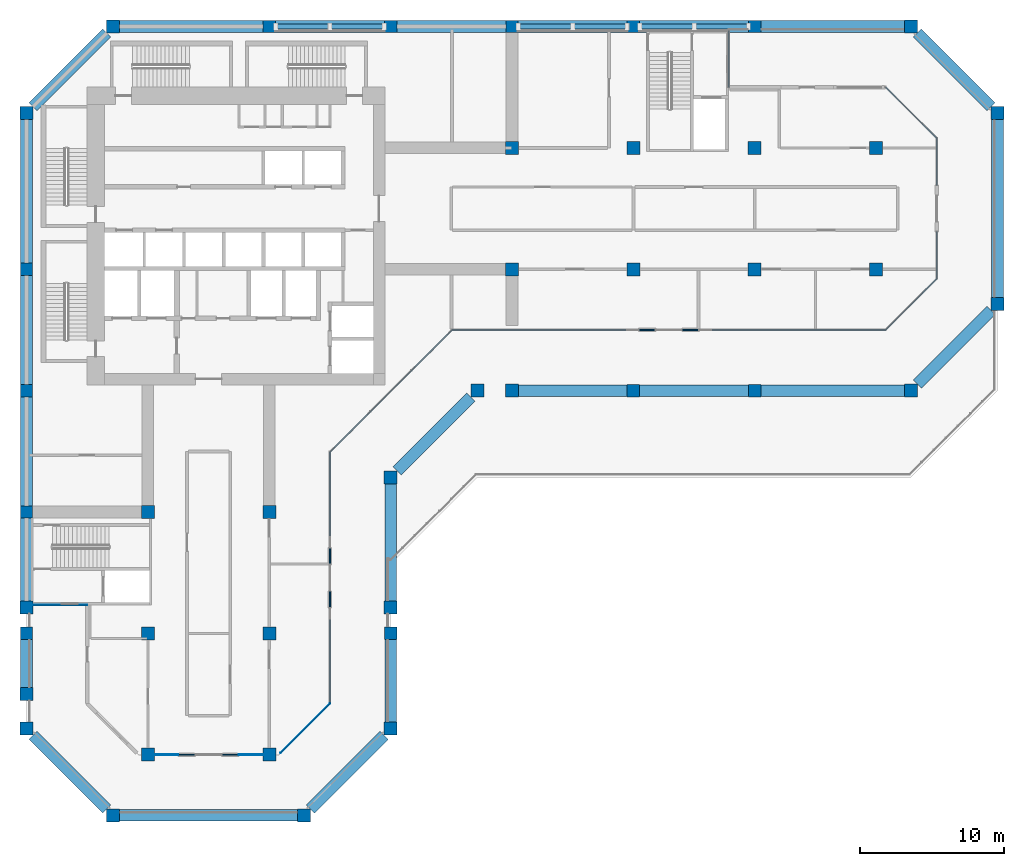
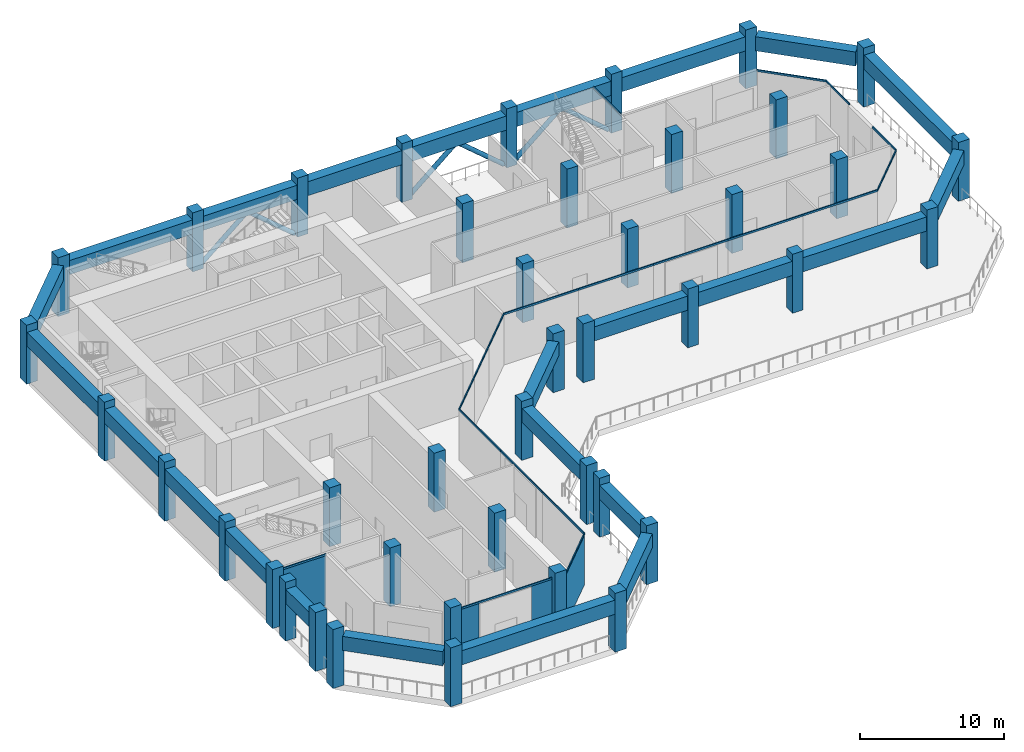
# One storey, part 1 of 14: 42 columns, 25 members, 24 beams, 4 plates, 10 elements without a shape of their own.
"""IFC4 building model written with IfcOpenShell, lengths in metres."""

from ifc_helpers import new_model, si_unit, direction, frame, origin, origin_2d, place, context, subcontext, project, spatial, rectangle, hollow_circle, extrude, material, layer, layer_set, material_profile, profile_set, type_object, element, aggregate, save


model = new_model("IFC4")

# Units and contexts
model_context = context("Model", 3, precision=1e-05, world=origin(), true_north=direction((0.0, 1.0)))
body_context = subcontext(model_context, "Body", "Model", "MODEL_VIEW")
ifc_project = project(units=[si_unit("LENGTHUNIT", "METRE"), si_unit("AREAUNIT", "SQUARE_METRE"), si_unit("VOLUMEUNIT", "CUBIC_METRE"), si_unit("PLANEANGLEUNIT", "RADIAN"), si_unit("MASSUNIT", "GRAM", prefix="KILO")], contexts=[model_context])

# Site, building, storey
site_placement = place(None, origin())
site = spatial("IfcSite", under=ifc_project, at=site_placement, CompositionType="ELEMENT")
building_placement = place(site_placement, origin())
building = spatial("IfcBuilding", under=site, at=building_placement, Name="Kawkab Arch Medical Tower", CompositionType="ELEMENT")
storey_placement = place(building_placement, frame((0.0, 0.0, 213.0)))
storey = spatial("IfcBuildingStorey", under=building, at=storey_placement, Name="L49", CompositionType="ELEMENT", Elevation=213.0)

# Columns
ifc_material_1 = material(Name="Concrete C45/55", Category="concrete")
ifc_material_profile_1 = material_profile(ifc_material_1, rectangle(XDim=0.85009765625, YDim=0.85009765625, at=origin_2d()), Name="RC 850x850")
ifc_profile_set_1 = profile_set([ifc_material_profile_1], Name="Concrete C45/55")
column_type_1 = type_object("IfcColumnType", Name="RC 850x850 column C45/55", PredefinedType="COLUMN", material=ifc_profile_set_1)
for number, where, z_axis, x_axis, name in (
    (1, (16.800048828125, 0.0, 0.0), (0.0, 0.0, 1.0), (1.0, 0.0, 0.0), "Column RC 850x850"),
    (2, (25.199951171875, 0.0, 0.0), (0.0, 0.0, 1.0), (1.0, 0.0, 0.0), "Column RC 850x850"),
    (3, (33.60009765625, 0.0, 0.0), (0.0, 0.0, 1.0), (1.0, 0.0, 0.0), "Column RC 850x850"),
    (4, (42.0, 0.0, 0.0), (0.0, 0.0, 1.0), (1.0, 0.0, 0.0), "Column RC 850x850"),
    (5, (50.39990234375, 0.0, 0.0), (0.0, 0.0, 1.0), (1.0, 0.0, 0.0), "Column RC 850x850"),
    (6, (0.0, -16.800048828125, 0.0), (0.0, 0.0, 1.0), (1.0, 0.0, 0.0), "Column RC 850x850"),
    (7, (0.0, -25.199951171875, 0.0), (0.0, 0.0, 1.0), (1.0, 0.0, 0.0), "Column RC 850x850"),
    (8, (42.0, -25.199951171875, 0.0), (0.0, 0.0, 1.0), (1.0, 0.0, 0.0), "Column RC 850x850"),
    (9, (50.39990234375, -25.199951171875, 0.0), (0.0, 0.0, 1.0), (1.0, 0.0, 0.0), "Column RC 850x850"),
    (10, (0.0, -33.60009765625, 0.0), (0.0, 0.0, 1.0), (1.0, 0.0, 0.0), "Column RC 850x850"),
    (11, (0.0, -42.0, 0.0), (0.0, 0.0, 1.0), (1.0, 0.0, 0.0), "Column RC 850x850"),
    (12, (25.199951171875, -42.0, 0.0), (0.0, 0.0, 1.0), (1.0, 0.0, 0.0), "Column RC 850x850"),
):
    element("IfcColumn", number, at=place(storey_placement, frame(where, z_axis=z_axis, x_axis=x_axis)), inside=storey, type_object=column_type_1, Name=name, PredefinedType="COLUMN", context=body_context, shape_type="SweptSolid", body=[
        extrude(rectangle(XDim=0.85009765625, YDim=0.85009765625, at=origin_2d()), origin(), (0.0, 0.0, 1.0), 5.0),
    ])
ifc_material_2 = material(Name="Concrete C45/55", Category="concrete")
ifc_material_profile_2 = material_profile(ifc_material_2, rectangle(XDim=0.89990234375, YDim=0.89990234375, at=origin_2d()), Name="RC 900x900")
ifc_profile_set_2 = profile_set([ifc_material_profile_2], Name="Concrete C45/55")
column_type_2 = type_object("IfcColumnType", Name="RC 900x900 column C45/55", PredefinedType="COLUMN", material=ifc_profile_set_2)
for number, where, z_axis, x_axis, name in (
    (13, (6.0, 0.0, 0.0), (0.0, 0.0, 1.0), (1.0, 0.0, 0.0), "Column RC 900x900"),
    (14, (61.199951171875, 0.0, 0.0), (0.0, 0.0, 1.0), (1.0, 0.0, 0.0), "Column RC 900x900"),
    (15, (0.0, -6.0, 0.0), (0.0, 0.0, 1.0), (1.0, 0.0, 0.0), "Column RC 900x900"),
    (16, (67.199951171875, -6.0, 0.0), (0.0, 0.0, 1.0), (1.0, 0.0, 0.0), "Column RC 900x900"),
):
    element("IfcColumn", number, at=place(storey_placement, frame(where, z_axis=z_axis, x_axis=x_axis)), inside=storey, type_object=column_type_2, Name=name, PredefinedType="COLUMN", context=body_context, shape_type="SweptSolid", body=[
        extrude(rectangle(XDim=0.89990234375, YDim=0.89990234375, at=origin_2d()), origin(), (0.0, 0.0, 1.0), 5.0),
    ])
column_placement = place(storey_placement, frame((33.60009765625, -8.39990234375, 0.0), z_axis=(0.0, 0.0, 1.0), x_axis=(1.0, 0.0, 0.0)))
element("IfcColumn", 17, at=column_placement, inside=storey, type_object=column_type_2, Name="Column RC 900x900", PredefinedType="COLUMN", context=body_context, shape_type="SweptSolid", body=[
    extrude(rectangle(XDim=0.89990234375, YDim=0.89990234375, at=origin_2d()), origin(), (0.0, 0.0, 1.0), 5.0),
])
for number, where, z_axis, x_axis, name in (
    (18, (42.0, -8.39990234375, 0.0), (0.0, 0.0, 1.0), (1.0, 0.0, 0.0), "Column RC 900x900"),
    (19, (50.39990234375, -8.39990234375, 0.0), (0.0, 0.0, 1.0), (1.0, 0.0, 0.0), "Column RC 900x900"),
    (20, (58.800048828125, -8.39990234375, 0.0), (0.0, 0.0, 1.0), (1.0, 0.0, 0.0), "Column RC 900x900"),
    (21, (33.60009765625, -16.800048828125, 0.0), (0.0, 0.0, 1.0), (1.0, 0.0, 0.0), "Column RC 900x900"),
    (22, (42.0, -16.800048828125, 0.0), (0.0, 0.0, 1.0), (1.0, 0.0, 0.0), "Column RC 900x900"),
    (23, (50.39990234375, -16.800048828125, 0.0), (0.0, 0.0, 1.0), (1.0, 0.0, 0.0), "Column RC 900x900"),
    (24, (58.800048828125, -16.800048828125, 0.0), (0.0, 0.0, 1.0), (1.0, 0.0, 0.0), "Column RC 900x900"),
    (25, (67.199951171875, -19.199951171875, 0.0), (0.0, 0.0, 1.0), (1.0, 0.0, 0.0), "Column RC 900x900"),
    (26, (31.199951171875, -25.199951171875, 0.0), (0.0, 0.0, 1.0), (1.0, 0.0, 0.0), "Column RC 900x900"),
    (27, (61.199951171875, -25.199951171875, 0.0), (0.0, 0.0, 1.0), (1.0, 0.0, 0.0), "Column RC 900x900"),
    (28, (25.199951171875, -31.199951171875, 0.0), (0.0, 0.0, 1.0), (1.0, 0.0, 0.0), "Column RC 900x900"),
    (29, (8.39990234375, -33.60009765625, 0.0), (0.0, 0.0, 1.0), (1.0, 0.0, 0.0), "Column RC 900x900"),
    (30, (16.800048828125, -33.60009765625, 0.0), (0.0, 0.0, 1.0), (1.0, 0.0, 0.0), "Column RC 900x900"),
    (31, (8.39990234375, -42.0, 0.0), (0.0, 0.0, 1.0), (1.0, 0.0, 0.0), "Column RC 900x900"),
    (32, (16.800048828125, -42.0, 0.0), (0.0, 0.0, 1.0), (1.0, 0.0, 0.0), "Column RC 900x900"),
    (33, (0.0, -48.60009765625, 0.0), (0.0, 0.0, 1.0), (1.0, 0.0, 0.0), "Column RC 900x900"),
    (34, (25.199951171875, -48.60009765625, 0.0), (0.0, 0.0, 1.0), (1.0, 0.0, 0.0), "Column RC 900x900"),
    (35, (8.39990234375, -50.39990234375, 0.0), (0.0, 0.0, 1.0), (1.0, 0.0, 0.0), "Column RC 900x900"),
    (36, (16.800048828125, -50.39990234375, 0.0), (0.0, 0.0, 1.0), (1.0, 0.0, 0.0), "Column RC 900x900"),
    (37, (6.0, -54.60009765625, 0.0), (0.0, 0.0, 1.0), (1.0, 0.0, 0.0), "Column RC 900x900"),
    (38, (19.199951171875, -54.60009765625, 0.0), (0.0, 0.0, 1.0), (1.0, 0.0, 0.0), "Column RC 900x900"),
    (39, (0.0, -40.199951171875, 0.0), (0.0, 0.0, 1.0), (1.0, 0.0, 0.0), "Column RC 900x900"),
    (40, (25.199951171875, -40.199951171875, 0.0), (0.0, 0.0, 1.0), (1.0, 0.0, 0.0), "Column RC 900x900"),
    (41, (0.0, -46.199951171875, 0.0), (0.0, 0.0, 1.0), (1.0, 0.0, 0.0), "Column RC 900x900"),
    (42, (33.60009765625, -25.199951171875, 0.0), (0.0, 0.0, 1.0), (1.0, 0.0, 0.0), "Column RC 900x900"),
):
    element("IfcColumn", number, at=place(storey_placement, frame(where, z_axis=z_axis, x_axis=x_axis)), inside=storey, type_object=column_type_2, Name=name, PredefinedType="COLUMN", context=body_context, shape_type="SweptSolid", body=[
        extrude(rectangle(XDim=0.89990234375, YDim=0.89990234375, at=origin_2d()), origin(), (0.0, 0.0, 1.0), 5.0),
    ])

# Members
ifc_material_3 = material(Name="Steel S355", Category="steel")
ifc_material_profile_3 = material_profile(ifc_material_3, hollow_circle(Radius=0.177734375, WallThickness=0.01611328125, at=origin_2d()), Name="CHS 355.6x16")
ifc_profile_set_3 = profile_set([ifc_material_profile_3], Name="Steel S355")
member_type_1 = type_object("IfcMemberType", Name="CHS 355.6x16 belt truss brace S355", PredefinedType="BRACE", material=ifc_profile_set_3)
for number, where, z_axis, x_axis, name in (
    (43, (17.240234375, 0.0, 0.083740234375), (0.762787298327, 0.0, 0.646649470356), (0.0, 1.0, 0.0), "Belt truss brace L49-N01A"),
    (44, (24.759765625, 0.0, 0.083740234375), (-0.762787298327, 0.0, 0.646649470356), (0.0, -1.0, 0.0), "Belt truss brace L49-N01B"),
    (45, (34.040283203125, 0.0, 0.083740234375), (0.762787298327, 0.0, 0.646649470356), (0.0, 1.0, 0.0), "Belt truss brace L49-N02A"),
    (46, (41.559814453125, 0.0, 0.083740234375), (-0.762787298327, 0.0, 0.646649470356), (0.0, -1.0, 0.0), "Belt truss brace L49-N02B"),
    (47, (42.440185546875, 0.0, 0.083740234375), (0.762787298327, 0.0, 0.646649470356), (0.0, 1.0, 0.0), "Belt truss brace L49-N03A"),
    (48, (49.959716796875, 0.0, 0.083740234375), (-0.762787298327, 0.0, 0.646649470356), (0.0, -1.0, 0.0), "Belt truss brace L49-N03B"),
):
    element("IfcMember", number, at=place(storey_placement, frame(where, z_axis=z_axis, x_axis=x_axis)), inside=storey, type_object=member_type_1, Name=name, PredefinedType="BRACE", context=body_context, shape_type="SweptSolid", body=[
        extrude(hollow_circle(Radius=0.177734375, WallThickness=0.01611328125, at=origin_2d()), origin(), (0.0, 0.0, 1.0), 4.9189453125),
    ])

# Curtain wall, member
ifc_material_4 = material(Name="Bronze anodised aluminium curtain wall frame", Category="aluminium")
ifc_layer_1 = layer(ifc_material_4, 0.159912109375)
ifc_layer_set_1 = layer_set([ifc_layer_1], Name="Bronze anodised aluminium curtain wall frame")
curtain_wall_type = type_object("IfcCurtainWallType", Name="CW4 refuge floor fire-protected glazing", PredefinedType="NOTDEFINED", material=ifc_layer_set_1)
placement = place(storey_placement, origin())
curtain_wall_1 = element("IfcCurtainWall", 49, at=placement, inside=storey, type_object=curtain_wall_type, Name="CW4 Refuge floor fire-protected glazing R04", PredefinedType="NOTDEFINED")
ifc_material_5 = material(Name="Bronze anodised aluminium curtain wall frame", Category="aluminium")
ifc_material_profile_4 = material_profile(ifc_material_5, rectangle(XDim=0.080078125, YDim=0.159912109375, at=origin_2d()), Name="AL 80x160")
ifc_profile_set_4 = profile_set([ifc_material_profile_4], Name="Bronze anodised aluminium curtain wall frame")
member_type_2 = type_object("IfcMemberType", Name="CW4 transom 160 x 80", PredefinedType="USERDEFINED", material=ifc_profile_set_4)
member_1_placement = place(storey_placement, frame((0.449951171875, -40.050048828125, 4.320068359375), z_axis=(1.0, 0.0, 0.0), x_axis=(0.0, 1.0, 0.0)))
member_1 = element("IfcMember", 50, at=member_1_placement, type_object=member_type_2, Name="CW4 transom 1", ObjectType="TRANSOM", PredefinedType="USERDEFINED", context=body_context, shape_type="SweptSolid", body=[
    extrude(rectangle(XDim=0.080078125, YDim=0.159912109375, at=origin_2d()), origin(), (0.0, 0.0, 1.0), 3.75),
])

curtain_wall_2 = element("IfcCurtainWall", 51, at=placement, inside=storey, type_object=curtain_wall_type, Name="CW4 Refuge floor fire-protected glazing R07", PredefinedType="NOTDEFINED")
member_2_placement = place(storey_placement, frame((8.85009765625, -50.40087890625, 4.320068359375), z_axis=(1.0, 0.0, 0.0), x_axis=(0.0, 1.0, 0.0)))
member_2 = element("IfcMember", 52, at=member_2_placement, type_object=member_type_2, Name="CW4 transom 1", ObjectType="TRANSOM", PredefinedType="USERDEFINED", context=body_context, shape_type="SweptSolid", body=[
    extrude(rectangle(XDim=0.080078125, YDim=0.159912109375, at=origin_2d()), origin(), (0.0, 0.0, 1.0), 7.5),
])

curtain_wall_3 = element("IfcCurtainWall", 53, at=placement, inside=storey, type_object=curtain_wall_type, Name="CW4 Refuge floor fire-protected glazing R08", PredefinedType="NOTDEFINED")
member_3_placement = place(storey_placement, frame((17.580078125, -50.280029296875, 4.320068359375), z_axis=(0.707106781187, 0.707106781187, 0.0), x_axis=(-0.707106781187, 0.707106781187, 0.0)))
member_3 = element("IfcMember", 54, at=member_3_placement, type_object=member_type_2, Name="CW4 transom 1", ObjectType="TRANSOM", PredefinedType="USERDEFINED", context=body_context, shape_type="SweptSolid", body=[
    extrude(rectangle(XDim=0.080078125, YDim=0.159912109375, at=origin_2d()), origin(), (0.0, 0.0, 1.0), 4.83642578125),
])

# Curtain wall, members
curtain_wall_4 = element("IfcCurtainWall", 55, at=placement, inside=storey, type_object=curtain_wall_type, Name="CW4 Refuge floor fire-protected glazing R09", PredefinedType="NOTDEFINED")
member_4_placement = place(storey_placement, frame((21.0, -46.860107421875, 4.320068359375), z_axis=(0.0, 1.0, 0.0), x_axis=(-1.0, 0.0, 0.0)))
member_4 = element("IfcMember", 56, at=member_4_placement, type_object=member_type_2, Name="CW4 transom 1", ObjectType="TRANSOM", PredefinedType="USERDEFINED", context=body_context, shape_type="SweptSolid", body=[
    extrude(rectangle(XDim=0.080078125, YDim=0.159912109375, at=origin_2d()), origin(), (0.0, 0.0, 1.0), 5.800048828125),
])
member_5_placement = place(storey_placement, frame((21.0, -41.06005859375, 4.320068359375), z_axis=(0.0, 1.0, 0.0), x_axis=(-1.0, 0.0, 0.0)))
member_5 = element("IfcMember", 57, at=member_5_placement, type_object=member_type_2, Name="CW4 transom 2", ObjectType="TRANSOM", PredefinedType="USERDEFINED", context=body_context, shape_type="SweptSolid", body=[
    extrude(rectangle(XDim=0.080078125, YDim=0.159912109375, at=origin_2d()), origin(), (0.0, 0.0, 1.0), 5.800048828125),
])
member_6_placement = place(storey_placement, frame((21.0, -35.260009765625, 4.320068359375), z_axis=(0.0, 1.0, 0.0), x_axis=(-1.0, 0.0, 0.0)))
member_6 = element("IfcMember", 58, at=member_6_placement, type_object=member_type_2, Name="CW4 transom 3", ObjectType="TRANSOM", PredefinedType="USERDEFINED", context=body_context, shape_type="SweptSolid", body=[
    extrude(rectangle(XDim=0.080078125, YDim=0.159912109375, at=origin_2d()), origin(), (0.0, 0.0, 1.0), 5.800048828125),
])
aggregate(curtain_wall_4, [member_4, member_5, member_6])

curtain_wall_5 = element("IfcCurtainWall", 59, at=placement, inside=storey, type_object=curtain_wall_type, Name="CW4 Refuge floor fire-protected glazing R10", PredefinedType="NOTDEFINED")
member_7_placement = place(storey_placement, frame((21.0, -29.4599609375, 4.320068359375), z_axis=(0.707106781187, 0.707106781187, 0.0), x_axis=(-0.707106781187, 0.707106781187, 0.0)))
member_7 = element("IfcMember", 60, at=member_7_placement, type_object=member_type_2, Name="CW4 transom 1", ObjectType="TRANSOM", PredefinedType="USERDEFINED", context=body_context, shape_type="SweptSolid", body=[
    extrude(rectangle(XDim=0.080078125, YDim=0.159912109375, at=origin_2d()), origin(), (0.0, 0.0, 1.0), 3.98828125),
])
member_8_placement = place(storey_placement, frame((23.820068359375, -26.639892578125, 4.320068359375), z_axis=(0.707106781187, 0.707106781187, 0.0), x_axis=(-0.707106781187, 0.707106781187, 0.0)))
member_8 = element("IfcMember", 61, at=member_8_placement, type_object=member_type_2, Name="CW4 transom 2", ObjectType="TRANSOM", PredefinedType="USERDEFINED", context=body_context, shape_type="SweptSolid", body=[
    extrude(rectangle(XDim=0.080078125, YDim=0.159912109375, at=origin_2d()), origin(), (0.0, 0.0, 1.0), 3.98779296875),
])
member_9_placement = place(storey_placement, frame((26.639892578125, -23.820068359375, 4.320068359375), z_axis=(0.707106781187, 0.707106781187, 0.0), x_axis=(-0.707106781187, 0.707106781187, 0.0)))
member_9 = element("IfcMember", 62, at=member_9_placement, type_object=member_type_2, Name="CW4 transom 3", ObjectType="TRANSOM", PredefinedType="USERDEFINED", context=body_context, shape_type="SweptSolid", body=[
    extrude(rectangle(XDim=0.080078125, YDim=0.159912109375, at=origin_2d()), origin(), (0.0, 0.0, 1.0), 3.98828125),
])
aggregate(curtain_wall_5, [member_7, member_8, member_9])

curtain_wall_6 = element("IfcCurtainWall", 63, at=placement, inside=storey, type_object=curtain_wall_type, Name="CW4 Refuge floor fire-protected glazing R11", PredefinedType="NOTDEFINED")
member_10_placement = place(storey_placement, frame((29.4599609375, -21.0, 4.320068359375), z_axis=(1.0, 0.0, 0.0), x_axis=(0.0, 1.0, 0.0)))
member_10 = element("IfcMember", 64, at=member_10_placement, type_object=member_type_2, Name="CW4 transom 1", ObjectType="TRANSOM", PredefinedType="USERDEFINED", context=body_context, shape_type="SweptSolid", body=[
    extrude(rectangle(XDim=0.080078125, YDim=0.159912109375, at=origin_2d()), origin(), (0.0, 0.0, 1.0), 6.0),
])
member_11_placement = place(storey_placement, frame((35.4599609375, -21.0, 4.320068359375), z_axis=(1.0, 0.0, 0.0), x_axis=(0.0, 1.0, 0.0)))
member_11 = element("IfcMember", 65, at=member_11_placement, type_object=member_type_2, Name="CW4 transom 2", ObjectType="TRANSOM", PredefinedType="USERDEFINED", context=body_context, shape_type="SweptSolid", body=[
    extrude(rectangle(XDim=0.080078125, YDim=0.159912109375, at=origin_2d()), origin(), (0.0, 0.0, 1.0), 6.0),
])
member_12_placement = place(storey_placement, frame((41.4599609375, -21.0, 4.320068359375), z_axis=(1.0, 0.0, 0.0), x_axis=(0.0, 1.0, 0.0)))
member_12 = element("IfcMember", 66, at=member_12_placement, type_object=member_type_2, Name="CW4 transom 3", ObjectType="TRANSOM", PredefinedType="USERDEFINED", context=body_context, shape_type="SweptSolid", body=[
    extrude(rectangle(XDim=0.080078125, YDim=0.159912109375, at=origin_2d()), origin(), (0.0, 0.0, 1.0), 6.0),
])
member_13_placement = place(storey_placement, frame((47.4599609375, -21.0, 4.320068359375), z_axis=(1.0, 0.0, 0.0), x_axis=(0.0, 1.0, 0.0)))
member_13 = element("IfcMember", 67, at=member_13_placement, type_object=member_type_2, Name="CW4 transom 4", ObjectType="TRANSOM", PredefinedType="USERDEFINED", context=body_context, shape_type="SweptSolid", body=[
    extrude(rectangle(XDim=0.080078125, YDim=0.159912109375, at=origin_2d()), origin(), (0.0, 0.0, 1.0), 6.0),
])
member_14_placement = place(storey_placement, frame((53.4599609375, -21.0, 4.320068359375), z_axis=(1.0, 0.0, 0.0), x_axis=(0.0, 1.0, 0.0)))
member_14 = element("IfcMember", 68, at=member_14_placement, type_object=member_type_2, Name="CW4 transom 5", ObjectType="TRANSOM", PredefinedType="USERDEFINED", context=body_context, shape_type="SweptSolid", body=[
    extrude(rectangle(XDim=0.080078125, YDim=0.159912109375, at=origin_2d()), origin(), (0.0, 0.0, 1.0), 6.0),
])
aggregate(curtain_wall_6, [member_10, member_11, member_12, member_13, member_14])

# Curtain wall, member
curtain_wall_7 = element("IfcCurtainWall", 69, at=placement, inside=storey, type_object=curtain_wall_type, Name="CW4 Refuge floor fire-protected glazing R12", PredefinedType="NOTDEFINED")
member_15_placement = place(storey_placement, frame((59.4599609375, -21.0, 4.320068359375), z_axis=(0.707106781187, 0.707106781187, 0.0), x_axis=(-0.707106781187, 0.707106781187, 0.0)))
member_15 = element("IfcMember", 70, at=member_15_placement, type_object=member_type_2, Name="CW4 transom 1", ObjectType="TRANSOM", PredefinedType="USERDEFINED", context=body_context, shape_type="SweptSolid", body=[
    extrude(rectangle(XDim=0.080078125, YDim=0.159912109375, at=origin_2d()), origin(), (0.0, 0.0, 1.0), 5.00634765625),
])
aggregate(curtain_wall_7, [member_15])

# Curtain wall, members
curtain_wall_8 = element("IfcCurtainWall", 71, at=placement, inside=storey, type_object=curtain_wall_type, Name="CW4 Refuge floor fire-protected glazing R13", PredefinedType="NOTDEFINED")
member_16_placement = place(storey_placement, frame((63.0009765625, -17.4599609375, 4.320068359375), z_axis=(0.0, 1.0, 0.0), x_axis=(-1.0, 0.0, 0.0)))
member_16 = element("IfcMember", 72, at=member_16_placement, type_object=member_type_2, Name="CW4 transom 1", ObjectType="TRANSOM", PredefinedType="USERDEFINED", context=body_context, shape_type="SweptSolid", body=[
    extrude(rectangle(XDim=0.080078125, YDim=0.159912109375, at=origin_2d()), origin(), (0.0, 0.0, 1.0), 3.239990234375),
])
member_17_placement = place(storey_placement, frame((63.0009765625, -10.97998046875, 4.320068359375), z_axis=(0.0, 1.0, 0.0), x_axis=(-1.0, 0.0, 0.0)))
member_17 = element("IfcMember", 73, at=member_17_placement, type_object=member_type_2, Name="CW4 transom 3", ObjectType="TRANSOM", PredefinedType="USERDEFINED", context=body_context, shape_type="SweptSolid", body=[
    extrude(rectangle(XDim=0.080078125, YDim=0.159912109375, at=origin_2d()), origin(), (0.0, 0.0, 1.0), 3.239990234375),
])
aggregate(curtain_wall_8, [member_16, member_17])

# Curtain wall, member
curtain_wall_9 = element("IfcCurtainWall", 74, at=placement, inside=storey, type_object=curtain_wall_type, Name="CW4 Refuge floor fire-protected glazing R14", PredefinedType="NOTDEFINED")
member_18_placement = place(storey_placement, frame((63.0, -7.739990234375, 4.320068359375), z_axis=(-0.707106781187, 0.707106781187, 0.0), x_axis=(-0.707106781187, -0.707106781187, 0.0)))
member_18 = element("IfcMember", 75, at=member_18_placement, type_object=member_type_2, Name="CW4 transom 1", ObjectType="TRANSOM", PredefinedType="USERDEFINED", context=body_context, shape_type="SweptSolid", body=[
    extrude(rectangle(XDim=0.080078125, YDim=0.159912109375, at=origin_2d()), origin(), (0.0, 0.0, 1.0), 5.00634765625),
])
aggregate(curtain_wall_9, [member_18])

curtain_wall_10 = element("IfcCurtainWall", 76, at=placement, inside=storey, type_object=curtain_wall_type, Name="CW4 Refuge floor fire-protected glazing R16", PredefinedType="NOTDEFINED")
member_19_placement = place(storey_placement, frame((48.60107421875, -4.199951171875, 4.320068359375), z_axis=(0.0, 1.0, 0.0), x_axis=(-1.0, 0.0, 0.0)))
member_19 = element("IfcMember", 77, at=member_19_placement, type_object=member_type_2, Name="CW4 transom 1", ObjectType="TRANSOM", PredefinedType="USERDEFINED", context=body_context, shape_type="SweptSolid", body=[
    extrude(rectangle(XDim=0.080078125, YDim=0.159912109375, at=origin_2d()), origin(), (0.0, 0.0, 1.0), 3.89990234375),
])
aggregate(curtain_wall_10, [member_19])

# Beams
ifc_material_6 = material(Name="Concrete C45/55", Category="concrete")
ifc_material_profile_5 = material_profile(ifc_material_6, rectangle(XDim=0.800048828125, YDim=1.199951171875, at=origin_2d()), Name="RC 800x1200")
ifc_profile_set_5 = profile_set([ifc_material_profile_5], Name="Concrete C45/55")
beam_type = type_object("IfcBeamType", Name="RC 800x1200 beam C45/55", PredefinedType="SPANDREL", material=ifc_profile_set_5)
beam_1_placement = place(storey_placement, frame((0.449951171875, -5.550048828125, 3.800048828125), z_axis=(0.707106781187, 0.707106781187, 0.0), x_axis=(-0.707106781187, 0.707106781187, 0.0)))
element("IfcBeam", 78, at=beam_1_placement, inside=storey, type_object=beam_type, Name="Belt beam L49-01", PredefinedType="SPANDREL", context=body_context, shape_type="SweptSolid", body=[
    extrude(rectangle(XDim=0.800048828125, YDim=1.199951171875, at=origin_2d()), origin(), (0.0, 0.0, 1.0), 7.212646484375),
])
beam_2_placement = place(storey_placement, frame((6.449951171875, 0.0, 3.800048828125), z_axis=(1.0, 0.0, 0.0), x_axis=(0.0, 1.0, 0.0)))
element("IfcBeam", 79, at=beam_2_placement, inside=storey, type_object=beam_type, Name="Belt beam L49-02", PredefinedType="SPANDREL", context=body_context, shape_type="SweptSolid", body=[
    extrude(rectangle(XDim=0.800048828125, YDim=1.199951171875, at=origin_2d()), origin(), (0.0, 0.0, 1.0), 9.925048828125),
])
beam_3_placement = place(storey_placement, frame((17.22509765625, 0.0, 3.800048828125), z_axis=(1.0, 0.0, 0.0), x_axis=(0.0, 1.0, 0.0)))
element("IfcBeam", 80, at=beam_3_placement, inside=storey, type_object=beam_type, Name="Belt beam L49-03", PredefinedType="SPANDREL", context=body_context, shape_type="SweptSolid", body=[
    extrude(rectangle(XDim=0.800048828125, YDim=1.199951171875, at=origin_2d()), origin(), (0.0, 0.0, 1.0), 7.5498046875),
])
for number, where, z_axis, x_axis, name in (
    (81, (25.625, 0.0, 3.800048828125), (1.0, 0.0, 0.0), (0.0, 1.0, 0.0), "Belt beam L49-04"),
    (82, (34.02490234375, 0.0, 3.800048828125), (1.0, 0.0, 0.0), (0.0, 1.0, 0.0), "Belt beam L49-05"),
    (83, (42.425048828125, 0.0, 3.800048828125), (1.0, 0.0, 0.0), (0.0, 1.0, 0.0), "Belt beam L49-06"),
):
    element("IfcBeam", number, at=place(storey_placement, frame(where, z_axis=z_axis, x_axis=x_axis)), inside=storey, type_object=beam_type, Name=name, PredefinedType="SPANDREL", context=body_context, shape_type="SweptSolid", body=[
        extrude(rectangle(XDim=0.800048828125, YDim=1.199951171875, at=origin_2d()), origin(), (0.0, 0.0, 1.0), 7.550048828125),
    ])
beam_4_placement = place(storey_placement, frame((50.824951171875, 0.0, 3.800048828125), z_axis=(1.0, 0.0, 0.0), x_axis=(0.0, 1.0, 0.0)))
element("IfcBeam", 84, at=beam_4_placement, inside=storey, type_object=beam_type, Name="Belt beam L49-07", PredefinedType="SPANDREL", context=body_context, shape_type="SweptSolid", body=[
    extrude(rectangle(XDim=0.800048828125, YDim=1.199951171875, at=origin_2d()), origin(), (0.0, 0.0, 1.0), 9.925048828125),
])
beam_5_placement = place(storey_placement, frame((61.64990234375, -0.449951171875, 3.800048828125), z_axis=(0.707106781187, -0.707106781187, 0.0), x_axis=(0.707106781187, 0.707106781187, 0.0)))
element("IfcBeam", 85, at=beam_5_placement, inside=storey, type_object=beam_type, Name="Belt beam L49-08", PredefinedType="SPANDREL", context=body_context, shape_type="SweptSolid", body=[
    extrude(rectangle(XDim=0.800048828125, YDim=1.199951171875, at=origin_2d()), origin(), (0.0, 0.0, 1.0), 7.212646484375),
])
beam_6_placement = place(storey_placement, frame((67.199951171875, -6.449951171875, 3.800048828125), z_axis=(0.0, -1.0, 0.0), x_axis=(1.0, 0.0, 0.0)))
element("IfcBeam", 86, at=beam_6_placement, inside=storey, type_object=beam_type, Name="Belt beam L49-09", PredefinedType="SPANDREL", context=body_context, shape_type="SweptSolid", body=[
    extrude(rectangle(XDim=0.800048828125, YDim=1.199951171875, at=origin_2d()), origin(), (0.0, 0.0, 1.0), 12.300048828125),
])
beam_7_placement = place(storey_placement, frame((66.75, -19.64990234375, 3.800048828125), z_axis=(-0.707106781187, -0.707106781187, 0.0), x_axis=(0.707106781187, -0.707106781187, 0.0)))
element("IfcBeam", 87, at=beam_7_placement, inside=storey, type_object=beam_type, Name="Belt beam L49-10", PredefinedType="SPANDREL", context=body_context, shape_type="SweptSolid", body=[
    extrude(rectangle(XDim=0.800048828125, YDim=1.199951171875, at=origin_2d()), origin(), (0.0, 0.0, 1.0), 7.212646484375),
])
beam_8_placement = place(storey_placement, frame((60.75, -25.199951171875, 3.800048828125), z_axis=(-1.0, 0.0, 0.0), x_axis=(0.0, -1.0, 0.0)))
element("IfcBeam", 88, at=beam_8_placement, inside=storey, type_object=beam_type, Name="Belt beam L49-11", PredefinedType="SPANDREL", context=body_context, shape_type="SweptSolid", body=[
    extrude(rectangle(XDim=0.800048828125, YDim=1.199951171875, at=origin_2d()), origin(), (0.0, 0.0, 1.0), 9.925048828125),
])
beam_9_placement = place(storey_placement, frame((49.97509765625, -25.199951171875, 3.800048828125), z_axis=(-1.0, 0.0, 0.0), x_axis=(0.0, -1.0, 0.0)))
element("IfcBeam", 89, at=beam_9_placement, inside=storey, type_object=beam_type, Name="Belt beam L49-12", PredefinedType="SPANDREL", context=body_context, shape_type="SweptSolid", body=[
    extrude(rectangle(XDim=0.800048828125, YDim=1.199951171875, at=origin_2d()), origin(), (0.0, 0.0, 1.0), 7.550048828125),
])
beam_10_placement = place(storey_placement, frame((41.574951171875, -25.199951171875, 3.800048828125), z_axis=(-1.0, 0.0, 0.0), x_axis=(0.0, -1.0, 0.0)))
element("IfcBeam", 90, at=beam_10_placement, inside=storey, type_object=beam_type, Name="Belt beam L49-13", PredefinedType="SPANDREL", context=body_context, shape_type="SweptSolid", body=[
    extrude(rectangle(XDim=0.800048828125, YDim=1.199951171875, at=origin_2d()), origin(), (0.0, 0.0, 1.0), 7.52490234375),
])
beam_11_placement = place(storey_placement, frame((30.75, -25.64990234375, 3.800048828125), z_axis=(-0.707106781187, -0.707106781187, 0.0), x_axis=(0.707106781187, -0.707106781187, 0.0)))
element("IfcBeam", 91, at=beam_11_placement, inside=storey, type_object=beam_type, Name="Belt beam L49-15", PredefinedType="SPANDREL", context=body_context, shape_type="SweptSolid", body=[
    extrude(rectangle(XDim=0.800048828125, YDim=1.199951171875, at=origin_2d()), origin(), (0.0, 0.0, 1.0), 7.212646484375),
])
beam_12_placement = place(storey_placement, frame((25.199951171875, -31.64990234375, 3.800048828125), z_axis=(0.0, -1.0, 0.0), x_axis=(1.0, 0.0, 0.0)))
element("IfcBeam", 92, at=beam_12_placement, inside=storey, type_object=beam_type, Name="Belt beam L49-16", PredefinedType="SPANDREL", context=body_context, shape_type="SweptSolid", body=[
    extrude(rectangle(XDim=0.800048828125, YDim=1.199951171875, at=origin_2d()), origin(), (0.0, 0.0, 1.0), 8.10009765625),
])
beam_13_placement = place(storey_placement, frame((25.199951171875, -42.425048828125, 3.800048828125), z_axis=(0.0, -1.0, 0.0), x_axis=(1.0, 0.0, 0.0)))
element("IfcBeam", 93, at=beam_13_placement, inside=storey, type_object=beam_type, Name="Belt beam L49-18", PredefinedType="SPANDREL", context=body_context, shape_type="SweptSolid", body=[
    extrude(rectangle(XDim=0.800048828125, YDim=1.199951171875, at=origin_2d()), origin(), (0.0, 0.0, 1.0), 5.724853515625),
])
beam_14_placement = place(storey_placement, frame((24.75, -49.050048828125, 3.800048828125), z_axis=(-0.707123705917, -0.707089856051, 0.0), x_axis=(0.707089856051, -0.707123705917, 0.0)))
element("IfcBeam", 94, at=beam_14_placement, inside=storey, type_object=beam_type, Name="Belt beam L49-19", PredefinedType="SPANDREL", context=body_context, shape_type="SweptSolid", body=[
    extrude(rectangle(XDim=0.800048828125, YDim=1.199951171875, at=origin_2d()), origin(), (0.0, 0.0, 1.0), 7.21240234375),
])
beam_15_placement = place(storey_placement, frame((18.75, -54.60009765625, 3.800048828125), z_axis=(-1.0, 0.0, 0.0), x_axis=(0.0, -1.0, 0.0)))
element("IfcBeam", 95, at=beam_15_placement, inside=storey, type_object=beam_type, Name="Belt beam L49-20", PredefinedType="SPANDREL", context=body_context, shape_type="SweptSolid", body=[
    extrude(rectangle(XDim=0.800048828125, YDim=1.199951171875, at=origin_2d()), origin(), (0.0, 0.0, 1.0), 12.300048828125),
])
beam_16_placement = place(storey_placement, frame((5.550048828125, -54.14990234375, 3.800048828125), z_axis=(-0.707123705917, 0.707089856051, 0.0), x_axis=(-0.707089856051, -0.707123705917, 0.0)))
element("IfcBeam", 96, at=beam_16_placement, inside=storey, type_object=beam_type, Name="Belt beam L49-21", PredefinedType="SPANDREL", context=body_context, shape_type="SweptSolid", body=[
    extrude(rectangle(XDim=0.800048828125, YDim=1.199951171875, at=origin_2d()), origin(), (0.0, 0.0, 1.0), 7.21240234375),
])
beam_17_placement = place(storey_placement, frame((0.0, -45.75, 3.800048828125), z_axis=(0.0, 1.0, 0.0), x_axis=(-1.0, 0.0, 0.0)))
element("IfcBeam", 97, at=beam_17_placement, inside=storey, type_object=beam_type, Name="Belt beam L49-23", PredefinedType="SPANDREL", context=body_context, shape_type="SweptSolid", body=[
    extrude(rectangle(XDim=0.800048828125, YDim=1.199951171875, at=origin_2d()), origin(), (0.0, 0.0, 1.0), 3.324951171875),
])
beam_18_placement = place(storey_placement, frame((0.0, -39.75, 3.800048828125), z_axis=(0.0, 1.0, 0.0), x_axis=(-1.0, 0.0, 0.0)))
element("IfcBeam", 98, at=beam_18_placement, inside=storey, type_object=beam_type, Name="Belt beam L49-25", PredefinedType="SPANDREL", context=body_context, shape_type="SweptSolid", body=[
    extrude(rectangle(XDim=0.800048828125, YDim=1.199951171875, at=origin_2d()), origin(), (0.0, 0.0, 1.0), 5.72509765625),
])
beam_19_placement = place(storey_placement, frame((0.0, -33.175048828125, 3.800048828125), z_axis=(0.0, 1.0, 0.0), x_axis=(-1.0, 0.0, 0.0)))
element("IfcBeam", 99, at=beam_19_placement, inside=storey, type_object=beam_type, Name="Belt beam L49-26", PredefinedType="SPANDREL", context=body_context, shape_type="SweptSolid", body=[
    extrude(rectangle(XDim=0.800048828125, YDim=1.199951171875, at=origin_2d()), origin(), (0.0, 0.0, 1.0), 7.550048828125),
])
beam_20_placement = place(storey_placement, frame((0.0, -24.77490234375, 3.800048828125), z_axis=(0.0, 1.0, 0.0), x_axis=(-1.0, 0.0, 0.0)))
element("IfcBeam", 100, at=beam_20_placement, inside=storey, type_object=beam_type, Name="Belt beam L49-27", PredefinedType="SPANDREL", context=body_context, shape_type="SweptSolid", body=[
    extrude(rectangle(XDim=0.800048828125, YDim=1.199951171875, at=origin_2d()), origin(), (0.0, 0.0, 1.0), 7.5498046875),
])
beam_21_placement = place(storey_placement, frame((0.0, -16.375, 3.800048828125), z_axis=(0.0, 1.0, 0.0), x_axis=(-1.0, 0.0, 0.0)))
element("IfcBeam", 101, at=beam_21_placement, inside=storey, type_object=beam_type, Name="Belt beam L49-28", PredefinedType="SPANDREL", context=body_context, shape_type="SweptSolid", body=[
    extrude(rectangle(XDim=0.800048828125, YDim=1.199951171875, at=origin_2d()), origin(), (0.0, 0.0, 1.0), 9.925048828125),
])

# Plate
ifc_material_7 = material(Name="Fire-resisting laminated glass", Category="glass")
ifc_layer_2 = layer(ifc_material_7, 0.0400390625)
ifc_layer_set_2 = layer_set([ifc_layer_2], Name="Fire-resisting laminated glass")
plate_type = type_object("IfcPlateType", Name="CW4 glazing unit 40", PredefinedType="CURTAIN_PANEL", material=ifc_layer_set_2)
plate_1_placement = place(storey_placement, frame((2.324951171875, -40.050048828125, 0.0), z_axis=(0.0, 0.0, 1.0), x_axis=(1.0, 0.0, 0.0)))
plate_1 = element("IfcPlate", 102, at=plate_1_placement, type_object=plate_type, Name="CW4 glazing unit 1.1", PredefinedType="CURTAIN_PANEL", context=body_context, shape_type="SweptSolid", body=[
    extrude(rectangle(XDim=3.75, YDim=0.0400390625, at=origin_2d()), origin(), (0.0, 0.0, 1.0), 4.239990234375),
])

aggregate(curtain_wall_1, [member_1, plate_1])

plate_2_placement = place(storey_placement, frame((9.675048828125, -50.40087890625, 0.0), z_axis=(0.0, 0.0, 1.0), x_axis=(1.0, 0.0, 0.0)))
plate_2 = element("IfcPlate", 103, at=plate_2_placement, type_object=plate_type, Name="CW4 glazing unit 1.1", PredefinedType="CURTAIN_PANEL", context=body_context, shape_type="SweptSolid", body=[
    extrude(rectangle(XDim=1.64990234375, YDim=0.0400390625, at=origin_2d()), origin(), (0.0, 0.0, 1.0), 4.239990234375),
])

plate_3_placement = place(storey_placement, frame((15.52490234375, -50.40087890625, 0.0), z_axis=(0.0, 0.0, 1.0), x_axis=(1.0, 0.0, 0.0)))
plate_3 = element("IfcPlate", 104, at=plate_3_placement, type_object=plate_type, Name="CW4 glazing unit 1.3", PredefinedType="CURTAIN_PANEL", context=body_context, shape_type="SweptSolid", body=[
    extrude(rectangle(XDim=1.64990234375, YDim=0.0400390625, at=origin_2d()), origin(), (0.0, 0.0, 1.0), 4.239990234375),
])

aggregate(curtain_wall_2, [member_2, plate_2, plate_3])

plate_4_placement = place(storey_placement, frame((19.2900390625, -48.570068359375, 0.0), z_axis=(0.0, 0.0, 1.0), x_axis=(0.707106781187, 0.707106781187, 0.0)))
plate_4 = element("IfcPlate", 105, at=plate_4_placement, type_object=plate_type, Name="CW4 glazing unit 1.1", PredefinedType="CURTAIN_PANEL", context=body_context, shape_type="SweptSolid", body=[
    extrude(rectangle(XDim=4.836669921875, YDim=0.0400390625, at=origin_2d()), origin(), (0.0, 0.0, 1.0), 4.239990234375),
])

aggregate(curtain_wall_3, [member_3, plate_4])

save(model, "model.ifc")
